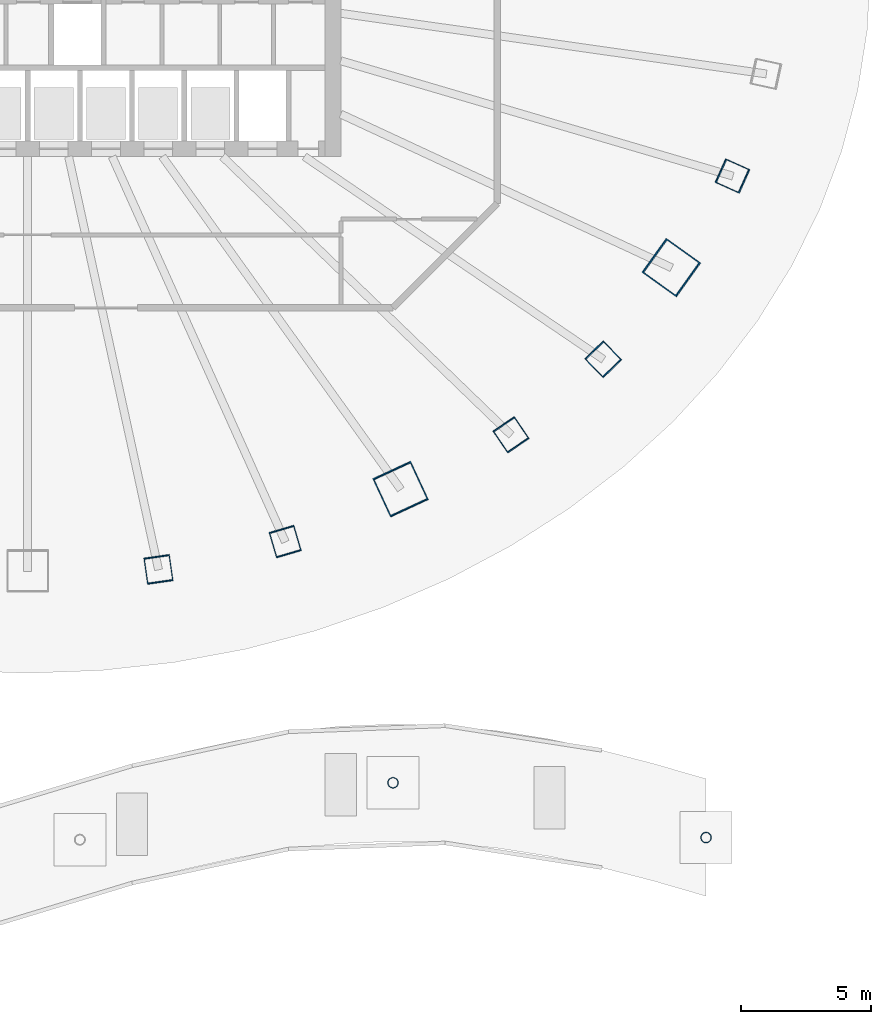
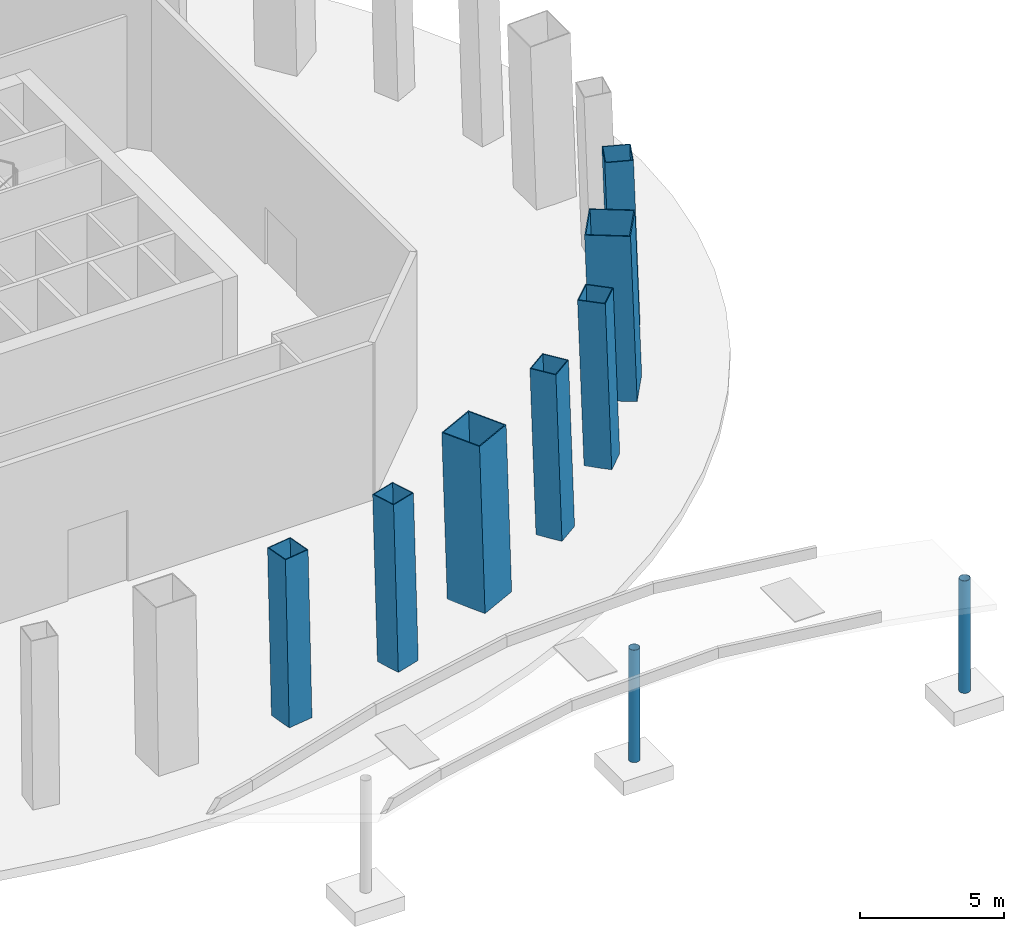
# One storey, part 3 of 10: 9 columns.
"""IFC4 building model written with IfcOpenShell, lengths in metres."""

from ifc_helpers import new_model, si_unit, direction, frame, origin, origin_2d, place, context, subcontext, project, spatial, hollow_rectangle, hollow_circle, extrude, material, material_profile, profile_set, type_object, element, save


model = new_model("IFC4")

# Units and contexts
model_context = context("Model", 3, precision=1e-05, world=origin(), true_north=direction((0.0, 1.0)))
body_context = subcontext(model_context, "Body", "Model", "MODEL_VIEW")
ifc_project = project(units=[si_unit("LENGTHUNIT", "METRE"), si_unit("AREAUNIT", "SQUARE_METRE"), si_unit("VOLUMEUNIT", "CUBIC_METRE"), si_unit("PLANEANGLEUNIT", "RADIAN"), si_unit("MASSUNIT", "GRAM", prefix="KILO")], contexts=[model_context])

# Site, building, storey
site_placement = place(None, origin())
site = spatial("IfcSite", under=ifc_project, at=site_placement, CompositionType="ELEMENT")
building_placement = place(site_placement, origin())
building = spatial("IfcBuilding", under=site, at=building_placement, Name="Siaravel Broadcast Tower", CompositionType="ELEMENT")
storey_placement = place(building_placement, origin())
storey = spatial("IfcBuildingStorey", under=building, at=storey_placement, Name="L00", CompositionType="ELEMENT", Elevation=0.0)

# Columns
ifc_material_1 = material(Name="Concrete C70/85", Category="concrete")
ifc_material_profile_1 = material_profile(ifc_material_1, hollow_rectangle(XDim=1.0, YDim=1.0, WallThickness=0.031982421875, at=origin_2d()))
ifc_profile_set_1 = profile_set([ifc_material_profile_1], Name="Concrete C70/85")
column_type_1 = type_object("IfcColumnType", Name="COL-CFT BOX 1000x1000x32", PredefinedType="COLUMN", material=ifc_profile_set_1)
for number, where, z_axis, x_axis, name in (
    (1, (5.015625, -23.0390625, 0.0), (-0.006031298, 0.02792526, 0.999591818), (-0.989957113, -0.141353514, -0.002024219), "Perimeter column C19"),
    (2, (9.87548828125, -21.972412109375, 0.0), (-0.011853219, 0.026634879, 0.999574952), (-0.959338826, -0.28223067, -0.003855712), "Perimeter column C20"),
):
    element("IfcColumn", number, at=place(storey_placement, frame(where, z_axis=z_axis, x_axis=x_axis)), inside=storey, type_object=column_type_1, Name=name, PredefinedType="COLUMN", context=body_context, shape_type="SweptSolid", body=[
        extrude(hollow_rectangle(XDim=1.0, YDim=1.0, WallThickness=0.031982421875, at=origin_2d()), origin(), (0.0, 0.0, 1.0), 7.0029296875),
    ])
column_1_placement = place(storey_placement, frame((18.536376953125, -17.877685546875, 0.0), z_axis=(-0.022240937, 0.021683171, 0.999517474), x_axis=(-0.827084796, -0.562042845, -0.006211267)))
element("IfcColumn", 3, at=column_1_placement, inside=storey, type_object=column_type_1, Name="Perimeter column C21", PredefinedType="COLUMN", context=body_context, shape_type="SweptSolid", body=[
    extrude(hollow_rectangle(XDim=1.0, YDim=1.0, WallThickness=0.031982421875, at=origin_2d()), origin(), (0.0, 0.0, 1.0), 7.00341796875),
])
column_2_placement = place(storey_placement, frame((22.072021484375, -14.98193359375, 0.0), z_axis=(-0.026527837, 0.018196493, 0.999482447), x_axis=(-0.718900031, -0.695083773, -0.006426102)))
element("IfcColumn", 4, at=column_2_placement, inside=storey, type_object=column_type_1, Name="Perimeter column C22", PredefinedType="COLUMN", context=body_context, shape_type="SweptSolid", body=[
    extrude(hollow_rectangle(XDim=1.0, YDim=1.0, WallThickness=0.031982421875, at=origin_2d()), origin(), (0.0, 0.0, 1.0), 7.003662109375),
])
column_3_placement = place(storey_placement, frame((27.029541015625, -7.951416015625, 0.0), z_axis=(-0.032486896, 0.009690297, 0.999425185), x_axis=(-0.409435953, -0.912327946, -0.00446314)))
element("IfcColumn", 5, at=column_3_placement, inside=storey, type_object=column_type_1, Name="Perimeter column C23", PredefinedType="COLUMN", context=body_context, shape_type="SweptSolid", body=[
    extrude(hollow_rectangle(XDim=1.0, YDim=1.0, WallThickness=0.031982421875, at=origin_2d()), origin(), (0.0, 0.0, 1.0), 7.00390625),
])
ifc_material_profile_2 = material_profile(ifc_material_1, hollow_rectangle(XDim=1.60009765625, YDim=1.60009765625, WallThickness=0.0400390625, at=origin_2d()))
ifc_profile_set_2 = profile_set([ifc_material_profile_2], Name="Concrete C70/85")
column_type_2 = type_object("IfcColumnType", Name="COL-CFT BOX 1600x1600x40", PredefinedType="COLUMN", material=ifc_profile_set_2)
column_4_placement = place(storey_placement, frame((14.30078125, -19.962158203125, 0.0), z_axis=(-0.017291309, 0.024542504, 0.999549236), x_axis=(-0.907302751, -0.420443645, -0.005372134)))
element("IfcColumn", 6, at=column_4_placement, inside=storey, type_object=column_type_2, Name="Megacolumn MC11", PredefinedType="COLUMN", context=body_context, shape_type="SweptSolid", body=[
    extrude(hollow_rectangle(XDim=1.60009765625, YDim=1.60009765625, WallThickness=0.0400390625, at=origin_2d()), origin(), (0.0, 0.0, 1.0), 7.003173828125),
])
column_5_placement = place(storey_placement, frame((24.685302734375, -11.465576171875, 0.0), z_axis=(-0.029977919, 0.014187224, 0.999449872), x_axis=(-0.58190841, -0.813232852, -0.005910137)))
element("IfcColumn", 7, at=column_5_placement, inside=storey, type_object=column_type_2, Name="Megacolumn MC12", PredefinedType="COLUMN", context=body_context, shape_type="SweptSolid", body=[
    extrude(hollow_rectangle(XDim=1.60009765625, YDim=1.60009765625, WallThickness=0.0400390625, at=origin_2d()), origin(), (0.0, 0.0, 1.0), 7.00390625),
])
ifc_material_2 = material(Name="Steel S355", Category="steel")
ifc_material_profile_3 = material_profile(ifc_material_2, hollow_circle(Radius=0.203125, WallThickness=0.01611328125, at=origin_2d()))
ifc_profile_set_3 = profile_set([ifc_material_profile_3], Name="Steel S355")
column_type_3 = type_object("IfcColumnType", Name="Canopy column CHS 406x16", PredefinedType="COLUMN", material=ifc_profile_set_3)
for number, where, z_axis, x_axis, name in (
    (8, (14.0, -31.2001953125, 0.0), (0.0, 0.0, 1.0), (1.0, 0.0, 0.0), "Canopy column 4"),
    (9, (26.0, -33.2998046875, 0.0), (0.0, 0.0, 1.0), (1.0, 0.0, 0.0), "Canopy column 5"),
):
    element("IfcColumn", number, at=place(storey_placement, frame(where, z_axis=z_axis, x_axis=x_axis)), inside=storey, type_object=column_type_3, Name=name, PredefinedType="COLUMN", context=body_context, shape_type="SweptSolid", body=[
        extrude(hollow_circle(Radius=0.203125, WallThickness=0.01611328125, at=origin_2d()), origin(), (0.0, 0.0, 1.0), 4.75),
    ])

save(model, "model.ifc")
